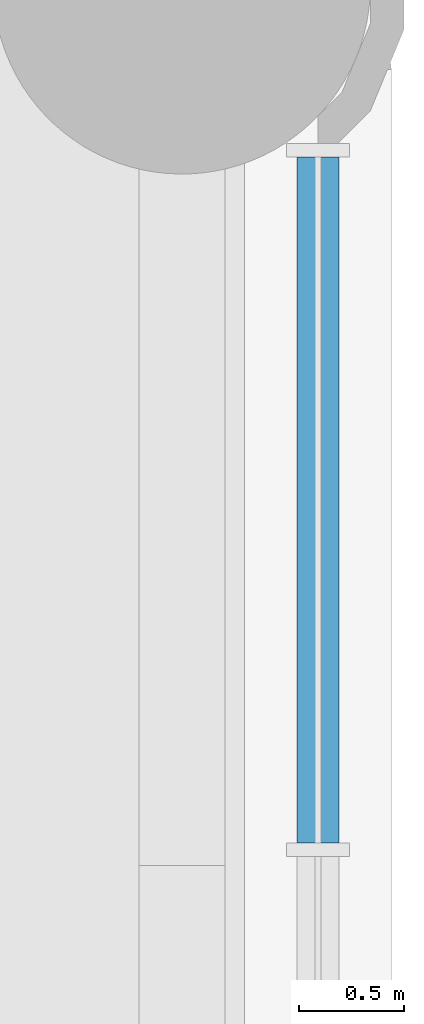
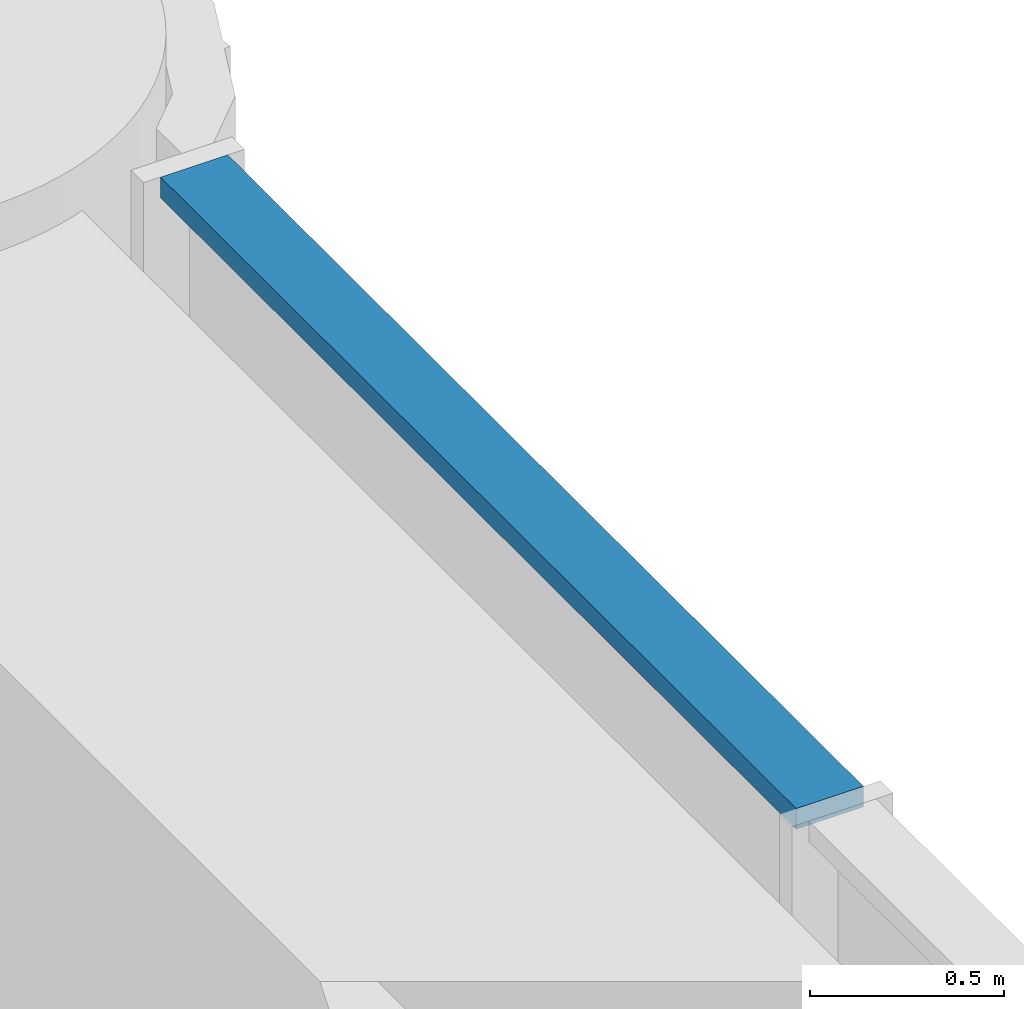
# One storey, part 5 of 13: 1 member, 1 element without a shape of its own.
"""IFC4 building model written with IfcOpenShell, lengths in metres."""

from ifc_helpers import new_model, si_unit, direction, frame, origin, origin_2d, place, context, subcontext, project, spatial, rectangle, extrude, material, material_profile, profile_set, type_object, element, aggregate, save


model = new_model("IFC4")

# Units and contexts
model_context = context("Model", 3, precision=1e-05, world=origin(), true_north=direction((0.0, 1.0)))
body_context = subcontext(model_context, "Body", "Model", "MODEL_VIEW")
ifc_project = project(units=[si_unit("LENGTHUNIT", "METRE"), si_unit("AREAUNIT", "SQUARE_METRE"), si_unit("VOLUMEUNIT", "CUBIC_METRE"), si_unit("PLANEANGLEUNIT", "RADIAN"), si_unit("MASSUNIT", "GRAM", prefix="KILO")], contexts=[model_context])

# Site, building, storey
site_placement = place(None, origin())
site = spatial("IfcSite", under=ifc_project, at=site_placement, CompositionType="ELEMENT")
building_placement = place(site_placement, origin())
building = spatial("IfcBuilding", under=site, at=building_placement, Name="Torre Alcanfor", CompositionType="ELEMENT")
storey_placement = place(building_placement, frame((0.0, 0.0, 177.300048828125)))
storey = spatial("IfcBuildingStorey", under=building, at=storey_placement, Name="L46", CompositionType="ELEMENT", Elevation=177.300048828125)

# Curtain wall, member
ifc_material_1 = material(Name="Aluminium and glass", Category="aluminium")
curtain_wall_type = type_object("IfcCurtainWallType", Name="CW-D plant floor louvre screen", PredefinedType="NOTDEFINED", material=ifc_material_1)
curtain_wall_placement = place(storey_placement, origin())
curtain_wall = element("IfcCurtainWall", 1, at=curtain_wall_placement, inside=storey, type_object=curtain_wall_type, Name="Curtain wall CW-D L46 8", PredefinedType="NOTDEFINED")
ifc_material_2 = material(Name="Extruded aluminium", Category="aluminium")
ifc_material_profile = material_profile(ifc_material_2, rectangle(XDim=0.199951171875, YDim=0.06494140625, at=origin_2d()), Name="CW-D transom 200x65")
ifc_profile_set = profile_set([ifc_material_profile], Name="Extruded aluminium")
member_type = type_object("IfcMemberType", Name="CW-D transom 65x200", PredefinedType="USERDEFINED", material=ifc_profile_set)
member_placement = place(storey_placement, frame((59.449951171875, 37.907958984375, 5.8173828125), z_axis=(0.0, 1.0, 0.0), x_axis=(-1.0, 0.0, 0.0)))
member = element("IfcMember", 2, at=member_placement, type_object=member_type, Name="CW-D transom 3.2.2", ObjectType="TRANSOM", PredefinedType="USERDEFINED", context=body_context, shape_type="SweptSolid", body=[
    extrude(rectangle(XDim=0.199951171875, YDim=0.06494140625, at=origin_2d()), origin(), (0.0, 0.0, 1.0), 3.272705078125),
])
aggregate(curtain_wall, [member])

save(model, "model.ifc")
